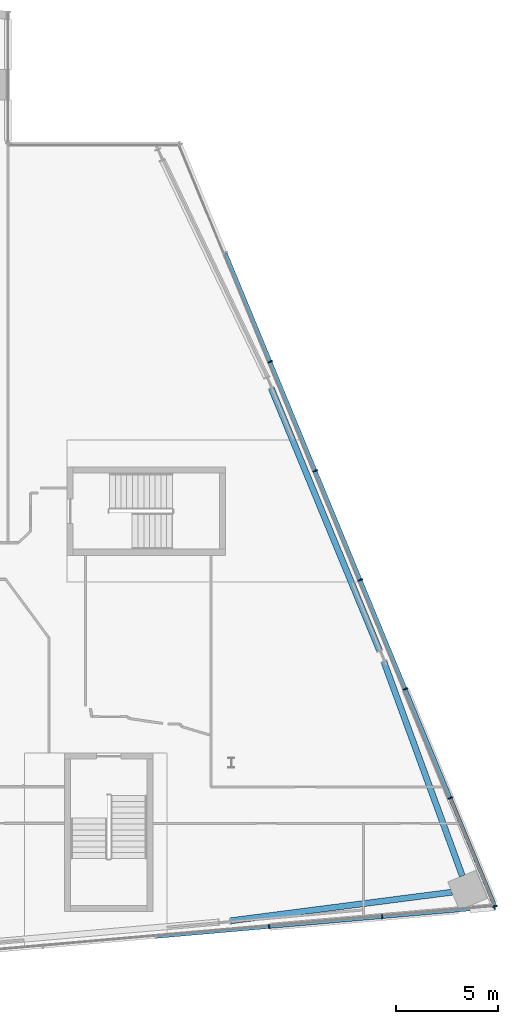
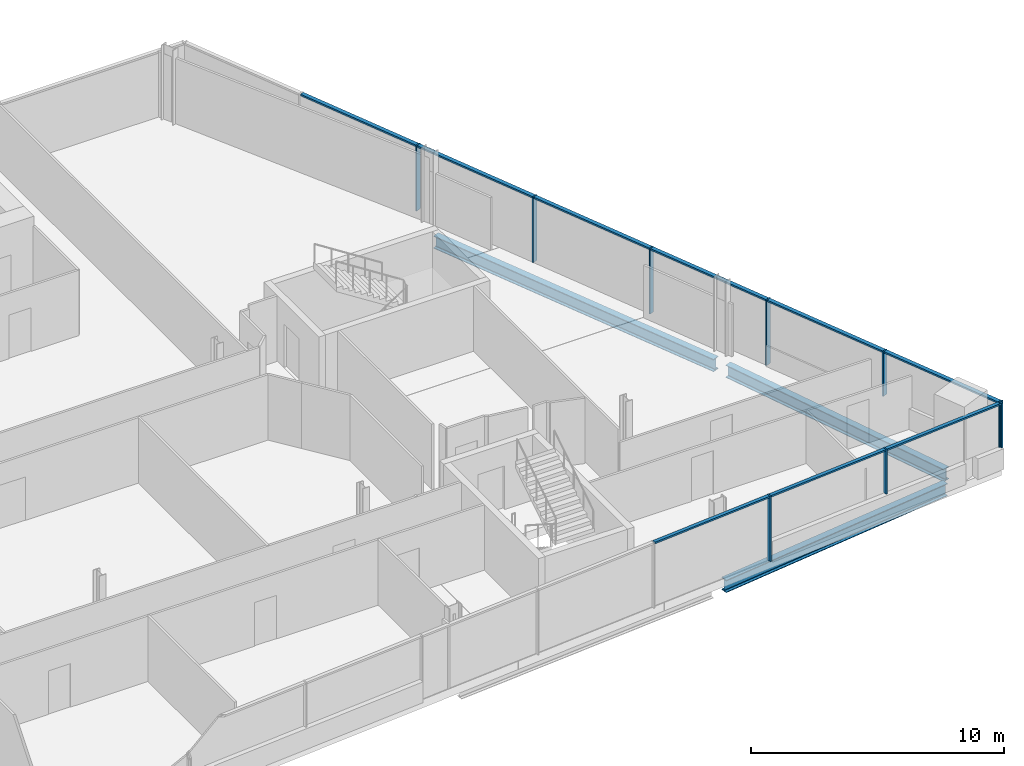
# One storey, part 11 of 24: 18 members, 3 beams, 2 elements without a shape of their own.
"""IFC4 building model written with IfcOpenShell, lengths in metres."""

from ifc_helpers import new_model, si_unit, direction, frame, origin, origin_2d, place, context, subcontext, project, spatial, rectangle, i_section, extrude, material, material_profile, profile_set, type_object, element, aggregate, save


model = new_model("IFC4")

# Units and contexts
model_context = context("Model", 3, precision=1e-05, world=origin(), true_north=direction((0.0, 1.0)))
body_context = subcontext(model_context, "Body", "Model", "MODEL_VIEW")
ifc_project = project(units=[si_unit("LENGTHUNIT", "METRE"), si_unit("AREAUNIT", "SQUARE_METRE"), si_unit("VOLUMEUNIT", "CUBIC_METRE"), si_unit("PLANEANGLEUNIT", "RADIAN"), si_unit("MASSUNIT", "GRAM", prefix="KILO")], contexts=[model_context])

# Site, building, storey
site_placement = place(None, origin())
site = spatial("IfcSite", under=ifc_project, at=site_placement, CompositionType="ELEMENT")
building_placement = place(site_placement, origin())
building = spatial("IfcBuilding", under=site, at=building_placement, Name="Wharfspan Tower", CompositionType="ELEMENT")
storey_placement = place(building_placement, frame((0.0, 0.0, 198.699951)))
storey = spatial("IfcBuildingStorey", under=building, at=storey_placement, Name="L49", CompositionType="ELEMENT", Elevation=198.699951)

# Beams
ifc_material_1 = material(Name="Steel S355J2", Category="steel")
ifc_material_profile_1 = material_profile(ifc_material_1, i_section(OverallWidth=0.300049, OverallDepth=0.600098, WebThickness=0.015381, FlangeThickness=0.030029, FilletRadius=0.0271, at=origin_2d()))
ifc_profile_set_1 = profile_set([ifc_material_profile_1], Name="Steel S355J2")
beam_type = type_object("IfcBeamType", Name="Edge beam HEB 600", PredefinedType="SPANDREL", material=ifc_profile_set_1)
beam_1_placement = place(storey_placement, frame((71.965576, 3.724121, -0.699951), z_axis=(0.991764, 0.128077, 0.0), x_axis=(-0.128077, 0.991764, 0.0)))
element("IfcBeam", 1, at=beam_1_placement, inside=storey, type_object=beam_type, Name="Edge beam S2 L49 PS2.2 to MC4", PredefinedType="SPANDREL", context=body_context, shape_type="SweptSolid", body=[
    extrude(i_section(OverallWidth=0.300049, OverallDepth=0.600098, WebThickness=0.015381, FlangeThickness=0.030029, FilletRadius=0.0271, at=origin_2d()), origin(), (0.0, 0.0, 1.0), 10.991211),
])
beam_2_placement = place(storey_placement, frame((83.375732, 5.931885, -0.699951), z_axis=(-0.343871, 0.939017, 0.0), x_axis=(-0.939017, -0.343871, 0.0)))
element("IfcBeam", 2, at=beam_2_placement, inside=storey, type_object=beam_type, Name="Edge beam E L49 MC4 to PE.1", PredefinedType="SPANDREL", context=body_context, shape_type="SweptSolid", body=[
    extrude(i_section(OverallWidth=0.300049, OverallDepth=0.600098, WebThickness=0.015381, FlangeThickness=0.030029, FilletRadius=0.0271, at=origin_2d()), origin(), (0.0, 0.0, 1.0), 11.226807),
])
beam_3_placement = place(storey_placement, frame((79.292969, 17.044434, -0.699951), z_axis=(-0.381593, 0.92433, 0.0), x_axis=(-0.92433, -0.381593, 0.0)))
element("IfcBeam", 3, at=beam_3_placement, inside=storey, type_object=beam_type, Name="Edge beam E L49 PE.1 to PE.2", PredefinedType="SPANDREL", context=body_context, shape_type="SweptSolid", body=[
    extrude(i_section(OverallWidth=0.300049, OverallDepth=0.600098, WebThickness=0.015381, FlangeThickness=0.030029, FilletRadius=0.0271, at=origin_2d()), origin(), (0.0, 0.0, 1.0), 13.94751),
])

# Curtain wall, members
ifc_material_2 = material(Name="Aluminium 6063-T6", Category="aluminium")
curtain_wall_type_1 = type_object("IfcCurtainWallType", Name="CURTAIN WALL FACETED FRONT", PredefinedType="NOTDEFINED", material=ifc_material_2)
curtain_wall_1_placement = place(storey_placement, origin())
curtain_wall_1 = element("IfcCurtainWall", 4, at=curtain_wall_1_placement, inside=storey, type_object=curtain_wall_type_1, Name="Curtain wall S2", PredefinedType="NOTDEFINED")
ifc_material_profile_2 = material_profile(ifc_material_2, rectangle(XDim=0.199951, YDim=0.060059, at=origin_2d()))
ifc_profile_set_2 = profile_set([ifc_material_profile_2], Name="Aluminium 6063-T6")
member_type_1 = type_object("IfcMemberType", Name="MULLION FACETED FRONT 60x200", PredefinedType="MULLION", material=ifc_profile_set_2)
member_1_placement = place(storey_placement, frame((73.857178, 3.425049, 0.0), z_axis=(0.0, 0.0, 1.0), x_axis=(-0.087156, 0.996198, 0.0)))
member_1 = element("IfcMember", 5, at=member_1_placement, type_object=member_type_1, Name="Curtain wall S2 mullion 6", PredefinedType="MULLION", context=body_context, shape_type="SweptSolid", body=[
    extrude(rectangle(XDim=0.199951, YDim=0.060059, at=origin_2d()), origin(), (0.0, 0.0, 1.0), 3.150146),
])
member_2_placement = place(storey_placement, frame((79.428467, 3.912598, 1.0), z_axis=(0.0, 0.0, 1.0), x_axis=(-0.087156, 0.996198, 0.0)))
member_2 = element("IfcMember", 6, at=member_2_placement, type_object=member_type_1, Name="Curtain wall S2 mullion 7", PredefinedType="MULLION", context=body_context, shape_type="SweptSolid", body=[
    extrude(rectangle(XDim=0.199951, YDim=0.060059, at=origin_2d()), origin(), (0.0, 0.0, 1.0), 2.150146),
])
member_3_placement = place(storey_placement, frame((84.970215, 4.397461, 1.0), z_axis=(0.0, 0.0, 1.0), x_axis=(-0.087156, 0.996198, 0.0)))
member_3 = element("IfcMember", 7, at=member_3_placement, type_object=member_type_1, Name="Curtain wall S2 mullion 8", PredefinedType="MULLION", context=body_context, shape_type="SweptSolid", body=[
    extrude(rectangle(XDim=0.199951, YDim=0.060059, at=origin_2d()), origin(), (0.0, 0.0, 1.0), 2.150146),
])

curtain_wall_type_2 = type_object("IfcCurtainWallType", Name="CURTAIN WALL PROW AND END", PredefinedType="NOTDEFINED", material=ifc_material_2)
curtain_wall_2_placement = place(storey_placement, origin())
curtain_wall_2 = element("IfcCurtainWall", 8, at=curtain_wall_2_placement, inside=storey, type_object=curtain_wall_type_2, Name="Curtain wall E", PredefinedType="NOTDEFINED")
ifc_material_profile_3 = material_profile(ifc_material_2, rectangle(XDim=0.23999, YDim=0.060059, at=origin_2d()))
ifc_profile_set_3 = profile_set([ifc_material_profile_3], Name="Aluminium 6063-T6")
member_type_2 = type_object("IfcMemberType", Name="MULLION PROW AND END 60x240", PredefinedType="MULLION", material=ifc_profile_set_3)
member_4_placement = place(storey_placement, frame((84.988525, 4.427734, 1.0), z_axis=(0.0, 0.0, 1.0), x_axis=(-0.924325, -0.381602, 0.0)))
member_4 = element("IfcMember", 9, at=member_4_placement, type_object=member_type_2, Name="Curtain wall E mullion 1", PredefinedType="MULLION", context=body_context, shape_type="SweptSolid", body=[
    extrude(rectangle(XDim=0.23999, YDim=0.060059, at=origin_2d()), origin(), (0.0, 0.0, 1.0), 2.150146),
])
member_5_placement = place(storey_placement, frame((82.782471, 9.771484, 1.0), z_axis=(0.0, 0.0, 1.0), x_axis=(-0.924325, -0.381602, 0.0)))
member_5 = element("IfcMember", 10, at=member_5_placement, type_object=member_type_2, Name="Curtain wall E mullion 2", PredefinedType="MULLION", context=body_context, shape_type="SweptSolid", body=[
    extrude(rectangle(XDim=0.23999, YDim=0.060059, at=origin_2d()), origin(), (0.0, 0.0, 1.0), 2.150146),
])
member_6_placement = place(storey_placement, frame((80.564941, 15.142822, 0.0), z_axis=(0.0, 0.0, 1.0), x_axis=(-0.924325, -0.381602, 0.0)))
member_6 = element("IfcMember", 11, at=member_6_placement, type_object=member_type_2, Name="Curtain wall E mullion 3", PredefinedType="MULLION", context=body_context, shape_type="SweptSolid", body=[
    extrude(rectangle(XDim=0.23999, YDim=0.060059, at=origin_2d()), origin(), (0.0, 0.0, 1.0), 3.150146),
])
member_7_placement = place(storey_placement, frame((78.347412, 20.514404, 0.0), z_axis=(0.0, 0.0, 1.0), x_axis=(-0.924325, -0.381602, 0.0)))
member_7 = element("IfcMember", 12, at=member_7_placement, type_object=member_type_2, Name="Curtain wall E mullion 4", PredefinedType="MULLION", context=body_context, shape_type="SweptSolid", body=[
    extrude(rectangle(XDim=0.23999, YDim=0.060059, at=origin_2d()), origin(), (0.0, 0.0, 1.0), 3.150146),
])
member_8_placement = place(storey_placement, frame((76.129639, 25.885742, 0.0), z_axis=(0.0, 0.0, 1.0), x_axis=(-0.924325, -0.381602, 0.0)))
member_8 = element("IfcMember", 13, at=member_8_placement, type_object=member_type_2, Name="Curtain wall E mullion 5", PredefinedType="MULLION", context=body_context, shape_type="SweptSolid", body=[
    extrude(rectangle(XDim=0.23999, YDim=0.060059, at=origin_2d()), origin(), (0.0, 0.0, 1.0), 3.150146),
])
member_9_placement = place(storey_placement, frame((73.912109, 31.25708, 0.0), z_axis=(0.0, 0.0, 1.0), x_axis=(-0.924325, -0.381602, 0.0)))
member_9 = element("IfcMember", 14, at=member_9_placement, type_object=member_type_2, Name="Curtain wall E mullion 6", PredefinedType="MULLION", context=body_context, shape_type="SweptSolid", body=[
    extrude(rectangle(XDim=0.23999, YDim=0.060059, at=origin_2d()), origin(), (0.0, 0.0, 1.0), 3.150146),
])

# Member
ifc_material_profile_4 = material_profile(ifc_material_2, rectangle(XDim=0.159912, YDim=0.080078, at=origin_2d()))
ifc_profile_set_4 = profile_set([ifc_material_profile_4], Name="Aluminium 6063-T6")
member_type_3 = type_object("IfcMemberType", Name="TRANSOM FACETED FRONT 80x160", PredefinedType="USERDEFINED", material=ifc_profile_set_4)
member_10_placement = place(storey_placement, frame((68.315674, 2.940186, 3.110107), z_axis=(0.996191, 0.087197, 0.0), x_axis=(-0.087197, 0.996191, 0.0)))
member_10 = element("IfcMember", 15, at=member_10_placement, type_object=member_type_3, Name="Curtain wall S2 transom 5", ObjectType="TRANSOM", PredefinedType="USERDEFINED", context=body_context, shape_type="SweptSolid", body=[
    extrude(rectangle(XDim=0.159912, YDim=0.080078, at=origin_2d()), origin(), (0.0, 0.0, 1.0), 5.532471),
])

member_11_placement = place(storey_placement, frame((73.886963, 3.427734, 3.110107), z_axis=(0.996195, 0.087149, 0.0), x_axis=(-0.087149, 0.996195, 0.0)))
member_11 = element("IfcMember", 16, at=member_11_placement, type_object=member_type_3, Name="Curtain wall S2 transom 6", ObjectType="TRANSOM", PredefinedType="USERDEFINED", context=body_context, shape_type="SweptSolid", body=[
    extrude(rectangle(XDim=0.159912, YDim=0.080078, at=origin_2d()), origin(), (0.0, 0.0, 1.0), 5.532715),
])

member_12_placement = place(storey_placement, frame((79.458496, 3.915283, 3.110107), z_axis=(0.996196, 0.087139, 0.0), x_axis=(-0.087139, 0.996196, 0.0)))
member_12 = element("IfcMember", 17, at=member_12_placement, type_object=member_type_3, Name="Curtain wall S2 transom 7", ObjectType="TRANSOM", PredefinedType="USERDEFINED", context=body_context, shape_type="SweptSolid", body=[
    extrude(rectangle(XDim=0.159912, YDim=0.080078, at=origin_2d()), origin(), (0.0, 0.0, 1.0), 5.502686),
])

aggregate(curtain_wall_1, [member_1, member_2, member_3, member_10, member_11, member_12])

ifc_material_profile_5 = material_profile(ifc_material_2, rectangle(XDim=0.179932, YDim=0.080078, at=origin_2d()))
ifc_profile_set_5 = profile_set([ifc_material_profile_5], Name="Aluminium 6063-T6")
member_type_4 = type_object("IfcMemberType", Name="TRANSOM PROW AND END 80x180", PredefinedType="USERDEFINED", material=ifc_profile_set_5)
member_13_placement = place(storey_placement, frame((84.977051, 4.455566, 3.110107), z_axis=(-0.381595, 0.924329, 0.0), x_axis=(-0.924329, -0.381595, 0.0)))
member_13 = element("IfcMember", 18, at=member_13_placement, type_object=member_type_4, Name="Curtain wall E transom 1", ObjectType="TRANSOM", PredefinedType="USERDEFINED", context=body_context, shape_type="SweptSolid", body=[
    extrude(rectangle(XDim=0.179932, YDim=0.080078, at=origin_2d()), origin(), (0.0, 0.0, 1.0), 5.720947),
])

member_14_placement = place(storey_placement, frame((82.770996, 9.799072, 3.110107), z_axis=(-0.381578, 0.924337, 0.0), x_axis=(-0.924337, -0.381578, 0.0)))
member_14 = element("IfcMember", 19, at=member_14_placement, type_object=member_type_4, Name="Curtain wall E transom 2", ObjectType="TRANSOM", PredefinedType="USERDEFINED", context=body_context, shape_type="SweptSolid", body=[
    extrude(rectangle(XDim=0.179932, YDim=0.080078, at=origin_2d()), origin(), (0.0, 0.0, 1.0), 5.751221),
])

member_15_placement = place(storey_placement, frame((80.553467, 15.170654, 3.110107), z_axis=(-0.381629, 0.924315, 0.0), x_axis=(-0.924315, -0.381629, 0.0)))
member_15 = element("IfcMember", 20, at=member_15_placement, type_object=member_type_4, Name="Curtain wall E transom 3", ObjectType="TRANSOM", PredefinedType="USERDEFINED", context=body_context, shape_type="SweptSolid", body=[
    extrude(rectangle(XDim=0.179932, YDim=0.080078, at=origin_2d()), origin(), (0.0, 0.0, 1.0), 5.751221),
])

member_16_placement = place(storey_placement, frame((78.335938, 20.541992, 3.110107), z_axis=(-0.381629, 0.924315, 0.0), x_axis=(-0.924315, -0.381629, 0.0)))
member_16 = element("IfcMember", 21, at=member_16_placement, type_object=member_type_4, Name="Curtain wall E transom 4", ObjectType="TRANSOM", PredefinedType="USERDEFINED", context=body_context, shape_type="SweptSolid", body=[
    extrude(rectangle(XDim=0.179932, YDim=0.080078, at=origin_2d()), origin(), (0.0, 0.0, 1.0), 5.751221),
])

member_17_placement = place(storey_placement, frame((76.118408, 25.91333, 3.110107), z_axis=(-0.381614, 0.924322, 0.0), x_axis=(-0.924322, -0.381614, 0.0)))
member_17 = element("IfcMember", 22, at=member_17_placement, type_object=member_type_4, Name="Curtain wall E transom 5", ObjectType="TRANSOM", PredefinedType="USERDEFINED", context=body_context, shape_type="SweptSolid", body=[
    extrude(rectangle(XDim=0.179932, YDim=0.080078, at=origin_2d()), origin(), (0.0, 0.0, 1.0), 5.751465),
])

member_18_placement = place(storey_placement, frame((73.900635, 31.284912, 3.110107), z_axis=(-0.381593, 0.92433, 0.0), x_axis=(-0.92433, -0.381593, 0.0)))
member_18 = element("IfcMember", 23, at=member_18_placement, type_object=member_type_4, Name="Curtain wall E transom 6", ObjectType="TRANSOM", PredefinedType="USERDEFINED", context=body_context, shape_type="SweptSolid", body=[
    extrude(rectangle(XDim=0.179932, YDim=0.080078, at=origin_2d()), origin(), (0.0, 0.0, 1.0), 5.751221),
])

aggregate(curtain_wall_2, [member_4, member_5, member_6, member_7, member_8, member_9, member_13, member_14, member_15, member_16, member_17, member_18])

save(model, "model.ifc")
